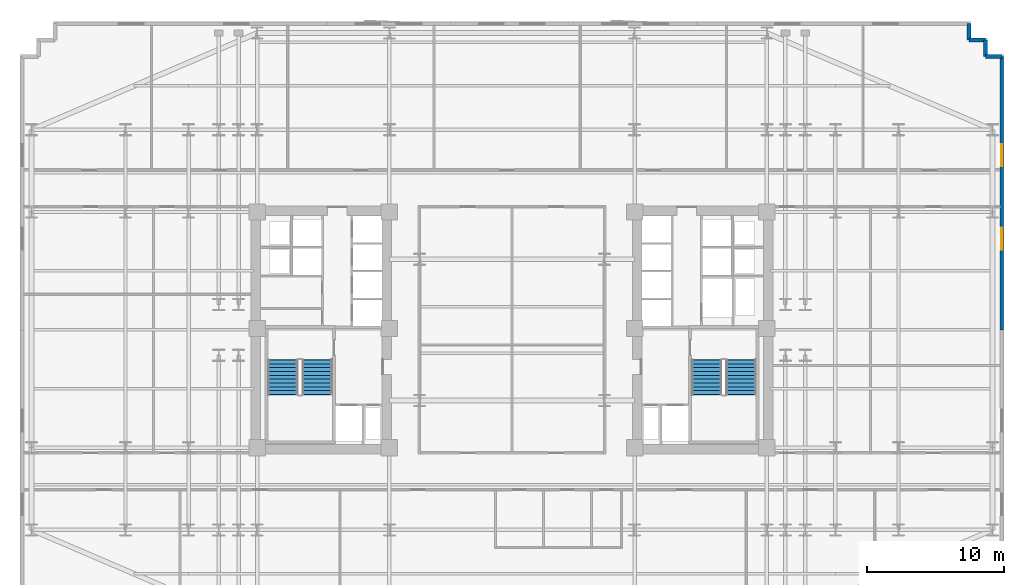
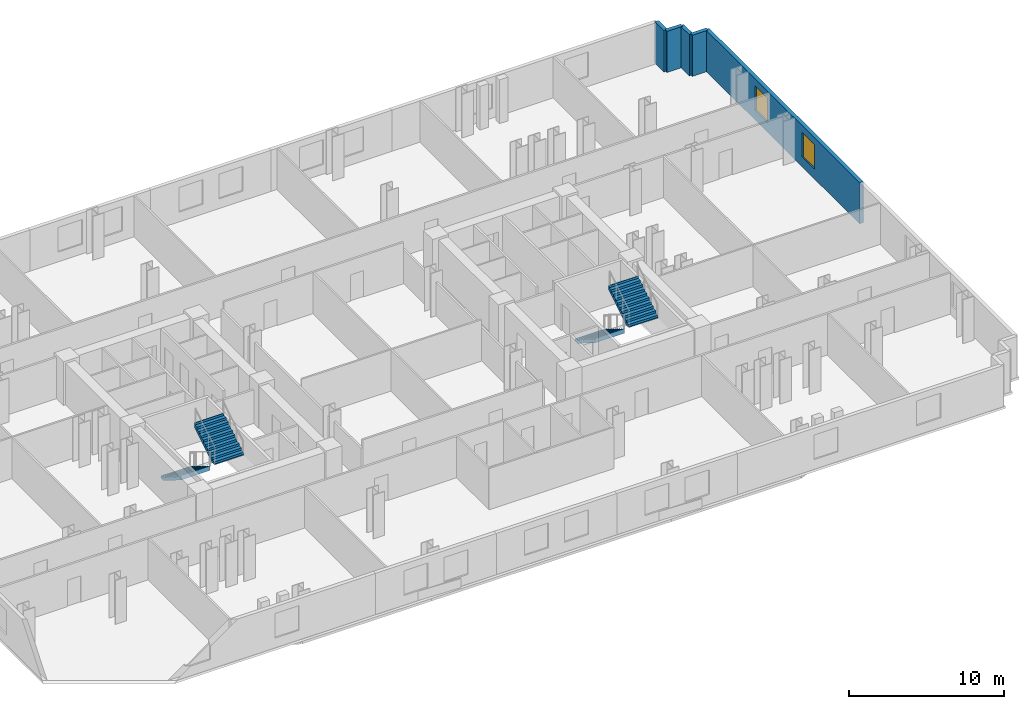
# One storey, part 8 of 10: 5 walls, 4 stair flights, 2 windows, 2 openings, 2 elements without a shape of their own.
"""IFC4 building model written with IfcOpenShell, lengths in metres."""

from ifc_helpers import new_model, si_unit, direction, frame, frame_2d, origin, place, context, subcontext, project, spatial, polyline, rectangle, outline, extrude, material, layer, layer_set, type_object, element, fill, aggregate, save


model = new_model("IFC4")

# Units and contexts
model_context = context("Model", 3, precision=1e-05, world=origin(), true_north=direction((0.0, 1.0)))
body_context = subcontext(model_context, "Body", "Model", "MODEL_VIEW")
ifc_project = project(units=[si_unit("LENGTHUNIT", "METRE"), si_unit("AREAUNIT", "SQUARE_METRE"), si_unit("VOLUMEUNIT", "CUBIC_METRE"), si_unit("PLANEANGLEUNIT", "RADIAN"), si_unit("MASSUNIT", "GRAM", prefix="KILO")], contexts=[model_context])

# Site, building, storey
site_placement = place(None, origin())
site = spatial("IfcSite", under=ifc_project, at=site_placement, CompositionType="ELEMENT")
building_placement = place(site_placement, origin())
building = spatial("IfcBuilding", under=site, at=building_placement, Name="Velakula Bourse", CompositionType="ELEMENT")
storey_placement = place(building_placement, frame((0.0, 0.0, 62.25)))
storey = spatial("IfcBuildingStorey", under=building, at=storey_placement, Name="L16", CompositionType="ELEMENT", Elevation=62.25)

# Wall, openings, windows
ifc_material_1 = material(Name="Red kilned clay facing brick masonry", Category="masonry")
ifc_layer_1 = layer(ifc_material_1, 0.280029296875, Name="Red kilned clay facing brick masonry", Category="masonry")
ifc_layer_set_1 = layer_set([ifc_layer_1], Name="Red kilned clay facing brick masonry")
wall_type = type_object("IfcWallType", Name="WL-EXT-BRK-280", PredefinedType="STANDARD", material=ifc_layer_set_1)
wall_1_placement = place(storey_placement, frame((35.739990234375, 19.93994140625, 0.0), z_axis=(0.0, 0.0, 1.0), x_axis=(0.0, -1.0, 0.0)))
wall_1 = element("IfcWall", 1, at=wall_1_placement, inside=storey, type_object=wall_type, Name="L16 E Brick End Wall W2", PredefinedType="STANDARD", context=body_context, shape_type="SweptSolid", body=[
    extrude(rectangle(XDim=19.93994140625, YDim=0.280029296875, at=frame_2d((9.969970703125, 0.0))), origin(), (0.0, 0.0, 1.0), 3.25),
])
opening_1_placement = place(wall_1_placement, frame((6.396728515625, 0.0, 0.760009765625)))
opening_1 = element("IfcOpeningElement", 2, at=opening_1_placement, cuts=wall_1, Name="Opening W-02", PredefinedType="OPENING", context=body_context, shape_type="SweptSolid", body=[
    extrude(rectangle(XDim=1.60009765625, YDim=1.949951171875, at=frame_2d((0.800048828125, 0.97509765625))), frame((0.0, 0.14990234375, 0.0), z_axis=(0.0, -1.0, 0.0), x_axis=(1.0, 0.0, 0.0)), (0.0, 0.0, 1.0), 0.300048828125),
])
opening_2_placement = place(wall_1_placement, frame((12.493408203125, 0.0, 0.760009765625)))
opening_2 = element("IfcOpeningElement", 3, at=opening_2_placement, cuts=wall_1, Name="Opening W-02", PredefinedType="OPENING", context=body_context, shape_type="SweptSolid", body=[
    extrude(rectangle(XDim=1.60009765625, YDim=1.949951171875, at=frame_2d((0.800048828125, 0.97509765625))), frame((0.0, 0.14990234375, 0.0), z_axis=(0.0, -1.0, 0.0), x_axis=(1.0, 0.0, 0.0)), (0.0, 0.0, 1.0), 0.300048828125),
])
ifc_material_2 = material(Name="Double-glazed solar-control Low-E glass", Category="glass")
window_type = type_object("IfcWindowType", Name="WIN-TWR-1600x2100", PartitioningType="SINGLE_PANEL", PredefinedType="WINDOW", material=ifc_material_2)
window_1_placement = place(opening_1_placement, origin())
window_1 = element("IfcWindow", 4, at=window_1_placement, inside=storey, type_object=window_type, Name="L16 Deep-Set Recessed Window 1", OverallHeight=1.949951171875, OverallWidth=1.60009765625, PartitioningType="SINGLE_PANEL", PredefinedType="WINDOW", context=body_context, shape_type="SweptSolid", body=[
    extrude(rectangle(XDim=1.60009765625, YDim=1.949951171875, at=frame_2d((0.800048828125, 0.97509765625))), frame((0.0, 0.030029296875, 0.0), z_axis=(0.0, -1.0, 0.0), x_axis=(1.0, 0.0, 0.0)), (0.0, 0.0, 1.0), 0.06005859375),
])
fill(opening_1, window_1)
window_2_placement = place(opening_2_placement, origin())
window_2 = element("IfcWindow", 5, at=window_2_placement, inside=storey, type_object=window_type, Name="L16 Deep-Set Recessed Window 2", OverallHeight=1.949951171875, OverallWidth=1.60009765625, PartitioningType="SINGLE_PANEL", PredefinedType="WINDOW", context=body_context, shape_type="SweptSolid", body=[
    extrude(rectangle(XDim=1.60009765625, YDim=1.949951171875, at=frame_2d((0.800048828125, 0.97509765625))), frame((0.0, 0.030029296875, 0.0), z_axis=(0.0, -1.0, 0.0), x_axis=(1.0, 0.0, 0.0)), (0.0, 0.0, 1.0), 0.06005859375),
])
fill(opening_2, window_2)

# Walls
for number, where, z_axis, x_axis, name in (
    (6, (35.739990234375, 19.93994140625, 0.0), (0.0, 0.0, 1.0), (-1.0, 0.0, 0.0), "L16 Serrated Corner Brick Wall NE-1"),
    (7, (34.5400390625, 19.93994140625, 0.0), (0.0, 0.0, 1.0), (0.0, 1.0, 0.0), "L16 Serrated Corner Brick Wall NE-2"),
    (8, (34.5400390625, 21.139892578125, 0.0), (0.0, 0.0, 1.0), (-1.0, 0.0, 0.0), "L16 Serrated Corner Brick Wall NE-3"),
):
    element("IfcWall", number, at=place(storey_placement, frame(where, z_axis=z_axis, x_axis=x_axis)), inside=storey, type_object=wall_type, Name=name, PredefinedType="STANDARD", context=body_context, shape_type="SweptSolid", body=[
        extrude(rectangle(XDim=1.199951171875, YDim=0.280029296875, at=frame_2d((0.60009765625, 0.0))), origin(), (0.0, 0.0, 1.0), 3.25),
    ])
wall_2_placement = place(storey_placement, frame((33.340087890625, 21.139892578125, 0.0), z_axis=(0.0, 0.0, 1.0), x_axis=(0.0, 1.0, 0.0)))
element("IfcWall", 9, at=wall_2_placement, inside=storey, type_object=wall_type, Name="L16 Serrated Corner Brick Wall NE-4", PredefinedType="STANDARD", context=body_context, shape_type="SweptSolid", body=[
    extrude(rectangle(XDim=1.2001953125, YDim=0.280029296875, at=frame_2d((0.60009765625, 0.0))), origin(), (0.0, 0.0, 1.0), 3.25),
])

# Stair, stair flights
ifc_material_3 = material(Name="Concrete M45 (fck 45 MPa)", Category="concrete")
stair_type = type_object("IfcStairType", Name="STR-DOG-390", PredefinedType="HALF_TURN_STAIR", material=ifc_material_3)
stair_1_placement = place(storey_placement, origin())
stair_1 = element("IfcStair", 10, at=stair_1_placement, inside=storey, type_object=stair_type, Name="L16 West Core Exit Stair ST-W1", PredefinedType="HALF_TURN_STAIR")
ifc_layer_2 = layer(ifc_material_3, 0.195068359375, Name="Concrete M45 (fck 45 MPa)", Category="concrete")
ifc_layer_set_2 = layer_set([ifc_layer_2], Name="Concrete M45 (fck 45 MPa)")
stair_flight_type = type_object("IfcStairFlightType", Name="FLT-DOG-390", PredefinedType="STRAIGHT", material=ifc_layer_set_2)
stair_flight_1_placement = place(storey_placement, frame((-16.720947265625, -2.199951171875, 0.0), z_axis=(0.0, 0.0, 1.0), x_axis=(0.0, -1.0, 0.0)))
stair_flight_1 = element("IfcStairFlight", 11, at=stair_flight_1_placement, type_object=stair_flight_type, Name="ST-W1 flight 1", NumberOfRisers=10, NumberOfTreads=9, PredefinedType="STRAIGHT", RiserHeight=0.1725, TreadLength=0.28, context=body_context, shape_type="SweptSolid", body=[
    extrude(outline(polyline([(-0.044921875, -0.0400390625), (-0.044921875, -0.036865234375), (-0.044921875, -0.033935546875), (-0.044921875, -0.03076171875), (-0.044921875, -0.027587890625), (-0.044921875, -0.024658203125), (-0.044921875, -0.021484375), (-0.044921875, -0.0185546875), (-0.044921875, -0.015380859375), (-0.044921875, -0.01220703125), (-0.044921875, -0.00927734375), (-0.044921875, -0.006103515625), (-0.044921875, -0.003173828125), (-0.044921875, 0.0), (0.0, 0.0), (0.0, 0.172607421875), (0.280029296875, 0.172607421875), (0.280029296875, 0.344970703125), (0.56005859375, 0.344970703125), (0.56005859375, 0.517578125), (0.840087890625, 0.517578125), (0.840087890625, 0.68994140625), (1.1201171875, 0.68994140625), (1.1201171875, 0.862548828125), (1.39990234375, 0.862548828125), (1.39990234375, 1.034912109375), (1.679931640625, 1.034912109375), (1.679931640625, 1.20751953125), (1.9599609375, 1.20751953125), (1.9599609375, 1.3798828125), (2.239990234375, 1.3798828125), (2.239990234375, 1.552490234375), (2.52001953125, 1.552490234375), (2.52001953125, 1.72509765625), (2.56494140625, 1.72509765625), (2.56494140625, 1.7001953125), (2.56494140625, 1.67529296875), (2.56494140625, 1.650390625), (2.56494140625, 1.62548828125), (2.56494140625, 1.6005859375), (2.56494140625, 1.57568359375), (2.56494140625, 1.55078125), (2.56494140625, 1.52587890625), (2.56494140625, 1.5009765625), (2.56494140625, 1.47607421875), (2.56494140625, 1.451171875), (2.56494140625, 1.42626953125), (2.56494140625, 1.4013671875), (2.56494140625, 1.37646484375), (0.285888671875, -0.0400390625), (-0.044921875, -0.0400390625)])), frame((0.0, 1.09912109375, 0.0), z_axis=(0.0, -1.0, 0.0), x_axis=(1.0, 0.0, 0.0)), (0.0, 0.0, 1.0), 2.197998046875),
])
stair_flight_2_placement = place(storey_placement, frame((-14.198974609375, -4.719970703125, 1.72509765625), z_axis=(0.0, 0.0, 1.0), x_axis=(0.0, 1.0, 0.0)))
stair_flight_2 = element("IfcStairFlight", 12, at=stair_flight_2_placement, type_object=stair_flight_type, Name="ST-W1 flight 2", NumberOfRisers=10, NumberOfTreads=9, PredefinedType="STRAIGHT", RiserHeight=0.1725, TreadLength=0.28, context=body_context, shape_type="SweptSolid", body=[
    extrude(outline(polyline([(-0.044921875, -0.0400390625), (-0.044921875, -0.036865234375), (-0.044921875, -0.033935546875), (-0.044921875, -0.03076171875), (-0.044921875, -0.027587890625), (-0.044921875, -0.024658203125), (-0.044921875, -0.021484375), (-0.044921875, -0.0185546875), (-0.044921875, -0.015380859375), (-0.044921875, -0.01220703125), (-0.044921875, -0.00927734375), (-0.044921875, -0.006103515625), (-0.044921875, -0.003173828125), (-0.044921875, 0.0), (0.0, 0.0), (0.0, 0.172607421875), (0.280029296875, 0.172607421875), (0.280029296875, 0.344970703125), (0.56005859375, 0.344970703125), (0.56005859375, 0.517578125), (0.840087890625, 0.517578125), (0.840087890625, 0.68994140625), (1.1201171875, 0.68994140625), (1.1201171875, 0.862548828125), (1.39990234375, 0.862548828125), (1.39990234375, 1.034912109375), (1.679931640625, 1.034912109375), (1.679931640625, 1.20751953125), (1.9599609375, 1.20751953125), (1.9599609375, 1.3798828125), (2.239990234375, 1.3798828125), (2.239990234375, 1.552490234375), (2.52001953125, 1.552490234375), (2.52001953125, 1.72509765625), (2.56494140625, 1.72509765625), (2.56494140625, 1.7001953125), (2.56494140625, 1.67529296875), (2.56494140625, 1.650390625), (2.56494140625, 1.62548828125), (2.56494140625, 1.6005859375), (2.56494140625, 1.57568359375), (2.56494140625, 1.55078125), (2.56494140625, 1.52587890625), (2.56494140625, 1.5009765625), (2.56494140625, 1.47607421875), (2.56494140625, 1.451171875), (2.56494140625, 1.42626953125), (2.56494140625, 1.4013671875), (2.56494140625, 1.37646484375), (0.285888671875, -0.0400390625), (-0.044921875, -0.0400390625)])), frame((0.0, 1.09912109375, 0.0), z_axis=(0.0, -1.0, 0.0), x_axis=(1.0, 0.0, 0.0)), (0.0, 0.0, 1.0), 2.197998046875),
])
aggregate(stair_1, [stair_flight_1, stair_flight_2])

stair_2_placement = place(storey_placement, origin())
stair_2 = element("IfcStair", 13, at=stair_2_placement, inside=storey, type_object=stair_type, Name="L16 East Core Exit Stair ST-E1", PredefinedType="HALF_TURN_STAIR")
stair_flight_3_placement = place(storey_placement, frame((14.198974609375, -2.199951171875, 0.0), z_axis=(0.0, 0.0, 1.0), x_axis=(0.0, -1.0, 0.0)))
stair_flight_3 = element("IfcStairFlight", 14, at=stair_flight_3_placement, type_object=stair_flight_type, Name="ST-E1 flight 1", NumberOfRisers=10, NumberOfTreads=9, PredefinedType="STRAIGHT", RiserHeight=0.1725, TreadLength=0.28, context=body_context, shape_type="SweptSolid", body=[
    extrude(outline(polyline([(-0.044921875, -0.0400390625), (-0.044921875, -0.036865234375), (-0.044921875, -0.033935546875), (-0.044921875, -0.03076171875), (-0.044921875, -0.027587890625), (-0.044921875, -0.024658203125), (-0.044921875, -0.021484375), (-0.044921875, -0.0185546875), (-0.044921875, -0.015380859375), (-0.044921875, -0.01220703125), (-0.044921875, -0.00927734375), (-0.044921875, -0.006103515625), (-0.044921875, -0.003173828125), (-0.044921875, 0.0), (0.0, 0.0), (0.0, 0.172607421875), (0.280029296875, 0.172607421875), (0.280029296875, 0.344970703125), (0.56005859375, 0.344970703125), (0.56005859375, 0.517578125), (0.840087890625, 0.517578125), (0.840087890625, 0.68994140625), (1.1201171875, 0.68994140625), (1.1201171875, 0.862548828125), (1.39990234375, 0.862548828125), (1.39990234375, 1.034912109375), (1.679931640625, 1.034912109375), (1.679931640625, 1.20751953125), (1.9599609375, 1.20751953125), (1.9599609375, 1.3798828125), (2.239990234375, 1.3798828125), (2.239990234375, 1.552490234375), (2.52001953125, 1.552490234375), (2.52001953125, 1.72509765625), (2.56494140625, 1.72509765625), (2.56494140625, 1.7001953125), (2.56494140625, 1.67529296875), (2.56494140625, 1.650390625), (2.56494140625, 1.62548828125), (2.56494140625, 1.6005859375), (2.56494140625, 1.57568359375), (2.56494140625, 1.55078125), (2.56494140625, 1.52587890625), (2.56494140625, 1.5009765625), (2.56494140625, 1.47607421875), (2.56494140625, 1.451171875), (2.56494140625, 1.42626953125), (2.56494140625, 1.4013671875), (2.56494140625, 1.37646484375), (0.285888671875, -0.0400390625), (-0.044921875, -0.0400390625)])), frame((0.0, 1.09912109375, 0.0), z_axis=(0.0, -1.0, 0.0), x_axis=(1.0, 0.0, 0.0)), (0.0, 0.0, 1.0), 2.197998046875),
])
stair_flight_4_placement = place(storey_placement, frame((16.720947265625, -4.719970703125, 1.72509765625), z_axis=(0.0, 0.0, 1.0), x_axis=(0.0, 1.0, 0.0)))
stair_flight_4 = element("IfcStairFlight", 15, at=stair_flight_4_placement, type_object=stair_flight_type, Name="ST-E1 flight 2", NumberOfRisers=10, NumberOfTreads=9, PredefinedType="STRAIGHT", RiserHeight=0.1725, TreadLength=0.28, context=body_context, shape_type="SweptSolid", body=[
    extrude(outline(polyline([(-0.044921875, -0.0400390625), (-0.044921875, -0.036865234375), (-0.044921875, -0.033935546875), (-0.044921875, -0.03076171875), (-0.044921875, -0.027587890625), (-0.044921875, -0.024658203125), (-0.044921875, -0.021484375), (-0.044921875, -0.0185546875), (-0.044921875, -0.015380859375), (-0.044921875, -0.01220703125), (-0.044921875, -0.00927734375), (-0.044921875, -0.006103515625), (-0.044921875, -0.003173828125), (-0.044921875, 0.0), (0.0, 0.0), (0.0, 0.172607421875), (0.280029296875, 0.172607421875), (0.280029296875, 0.344970703125), (0.56005859375, 0.344970703125), (0.56005859375, 0.517578125), (0.840087890625, 0.517578125), (0.840087890625, 0.68994140625), (1.1201171875, 0.68994140625), (1.1201171875, 0.862548828125), (1.39990234375, 0.862548828125), (1.39990234375, 1.034912109375), (1.679931640625, 1.034912109375), (1.679931640625, 1.20751953125), (1.9599609375, 1.20751953125), (1.9599609375, 1.3798828125), (2.239990234375, 1.3798828125), (2.239990234375, 1.552490234375), (2.52001953125, 1.552490234375), (2.52001953125, 1.72509765625), (2.56494140625, 1.72509765625), (2.56494140625, 1.7001953125), (2.56494140625, 1.67529296875), (2.56494140625, 1.650390625), (2.56494140625, 1.62548828125), (2.56494140625, 1.6005859375), (2.56494140625, 1.57568359375), (2.56494140625, 1.55078125), (2.56494140625, 1.52587890625), (2.56494140625, 1.5009765625), (2.56494140625, 1.47607421875), (2.56494140625, 1.451171875), (2.56494140625, 1.42626953125), (2.56494140625, 1.4013671875), (2.56494140625, 1.37646484375), (0.285888671875, -0.0400390625), (-0.044921875, -0.0400390625)])), frame((0.0, 1.09912109375, 0.0), z_axis=(0.0, -1.0, 0.0), x_axis=(1.0, 0.0, 0.0)), (0.0, 0.0, 1.0), 2.197998046875),
])
aggregate(stair_2, [stair_flight_3, stair_flight_4])

save(model, "model.ifc")
